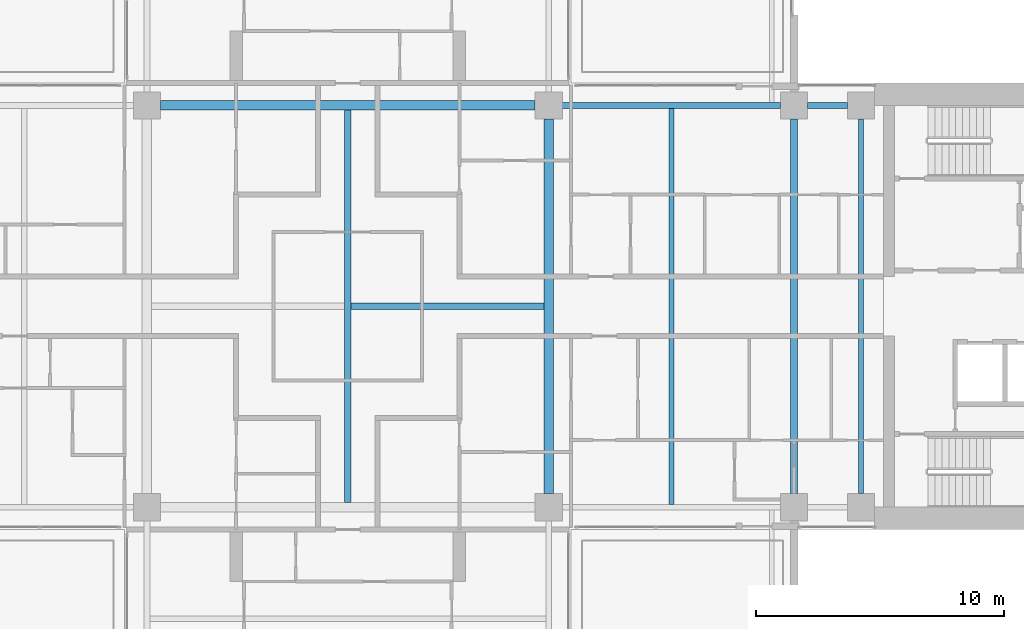
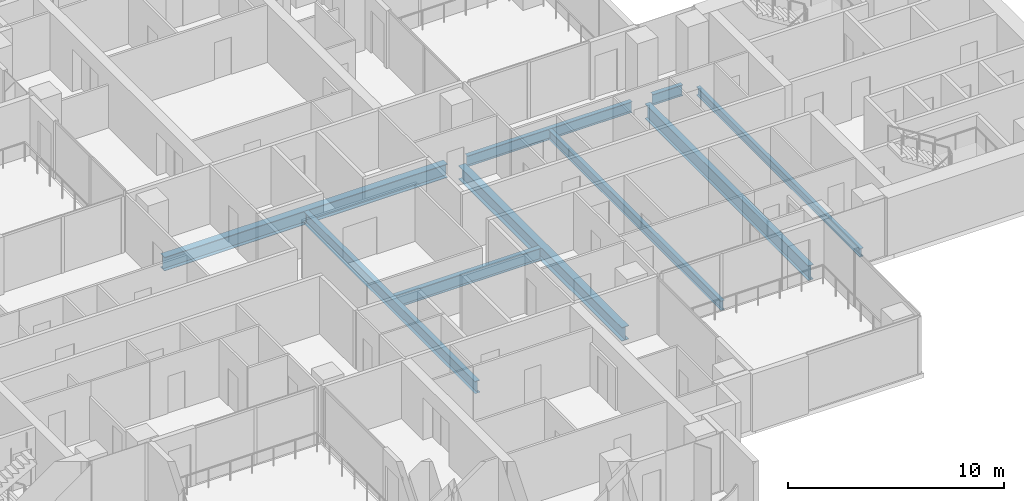
# One storey, part 4 of 19: 9 beams.
"""IFC4 building model written with IfcOpenShell, lengths in metres."""

from ifc_helpers import new_model, si_unit, direction, frame, origin, origin_2d, place, context, subcontext, project, spatial, i_section, extrude, material, material_profile, profile_set, type_object, element, save


model = new_model("IFC4")

# Units and contexts
model_context = context("Model", 3, precision=1e-05, world=origin(), true_north=direction((0.0, 1.0)))
body_context = subcontext(model_context, "Body", "Model", "MODEL_VIEW")
ifc_project = project(units=[si_unit("LENGTHUNIT", "METRE"), si_unit("AREAUNIT", "SQUARE_METRE"), si_unit("VOLUMEUNIT", "CUBIC_METRE"), si_unit("PLANEANGLEUNIT", "RADIAN"), si_unit("MASSUNIT", "GRAM", prefix="KILO")], contexts=[model_context])

# Site, building, storey
site_placement = place(None, origin())
site = spatial("IfcSite", under=ifc_project, at=site_placement, CompositionType="ELEMENT")
building_placement = place(site_placement, origin())
building = spatial("IfcBuilding", under=site, at=building_placement, Name="Perihelion Cross Residences", CompositionType="ELEMENT")
storey_placement = place(building_placement, frame((0.0, 0.0, 112.89990234375)))
storey = spatial("IfcBuildingStorey", under=building, at=storey_placement, Name="L26", CompositionType="ELEMENT", Elevation=112.89990234375)

# Beams
ifc_material_1 = material(Name="Steel S355", Category="steel")
ifc_material_profile_1 = material_profile(ifc_material_1, i_section(OverallWidth=0.194091796875, OverallDepth=0.469970703125, WebThickness=0.0126953125, FlangeThickness=0.0205078125, at=origin_2d()), Name="W460x106")
ifc_profile_set_1 = profile_set([ifc_material_profile_1], Name="Steel S355")
beam_type_1 = type_object("IfcBeamType", Name="Core edge beam W460x106", PredefinedType="BEAM", material=ifc_profile_set_1)
beam_1_placement = place(storey_placement, frame((20.699951171875, -7.550048828125, -0.48486328125), z_axis=(0.0, 1.0, 0.0), x_axis=(-1.0, 0.0, 0.0)))
element("IfcBeam", 1, at=beam_1_placement, inside=storey, type_object=beam_type_1, Name="Core edge beam TB5 L26 no. 2", PredefinedType="BEAM", context=body_context, shape_type="SweptSolid", body=[
    extrude(i_section(OverallWidth=0.194091796875, OverallDepth=0.469970703125, WebThickness=0.0126953125, FlangeThickness=0.0205078125, at=origin_2d()), origin(), (0.0, 0.0, 1.0), 15.10009765625),
])
ifc_material_2 = material(Name="Steel S355", Category="steel")
ifc_material_profile_2 = material_profile(ifc_material_2, i_section(OverallWidth=0.22900390625, OverallDepth=0.612060546875, WebThickness=0.011962890625, FlangeThickness=0.01953125, at=origin_2d()), Name="W610x125")
ifc_profile_set_2 = profile_set([ifc_material_profile_2], Name="Steel S355")
beam_type_2 = type_object("IfcBeamType", Name="Edge beam W610x125", PredefinedType="SPANDREL", material=ifc_profile_set_2)
beam_2_placement = place(storey_placement, frame((20.14990234375, 8.10009765625, -0.555908203125), z_axis=(-1.0, 0.0, 0.0), x_axis=(0.0, -1.0, 0.0)))
element("IfcBeam", 2, at=beam_2_placement, inside=storey, type_object=beam_type_2, Name="Edge beam SB3 L26 no. 13", PredefinedType="SPANDREL", context=body_context, shape_type="SweptSolid", body=[
    extrude(i_section(OverallWidth=0.22900390625, OverallDepth=0.612060546875, WebThickness=0.011962890625, FlangeThickness=0.01953125, at=origin_2d()), origin(), (0.0, 0.0, 1.0), 1.599853515625),
])
beam_3_placement = place(storey_placement, frame((17.449951171875, 8.10009765625, -0.555908203125), z_axis=(-1.0, 0.0, 0.0), x_axis=(0.0, -1.0, 0.0)))
element("IfcBeam", 3, at=beam_3_placement, inside=storey, type_object=beam_type_2, Name="Edge beam SB3 L26 no. 12", PredefinedType="SPANDREL", context=body_context, shape_type="SweptSolid", body=[
    extrude(i_section(OverallWidth=0.22900390625, OverallDepth=0.612060546875, WebThickness=0.011962890625, FlangeThickness=0.01953125, at=origin_2d()), origin(), (0.0, 0.0, 1.0), 8.800048828125),
])
ifc_material_3 = material(Name="Steel S355", Category="steel")
ifc_material_profile_3 = material_profile(ifc_material_3, i_section(OverallWidth=0.2919921875, OverallDepth=0.8359375, WebThickness=0.013916015625, FlangeThickness=0.018798828125, at=origin_2d()), Name="W840x176")
ifc_profile_set_3 = profile_set([ifc_material_profile_3], Name="Steel S355")
beam_type_3 = type_object("IfcBeamType", Name="Floor girder W840x176", PredefinedType="BEAM", material=ifc_profile_set_3)
beam_4_placement = place(storey_placement, frame((18.0, -7.550048828125, -0.66796875), z_axis=(0.0, 1.0, 0.0), x_axis=(-1.0, 0.0, 0.0)))
element("IfcBeam", 4, at=beam_4_placement, inside=storey, type_object=beam_type_3, Name="Girder G3 L26 no. 2", PredefinedType="BEAM", context=body_context, shape_type="SweptSolid", body=[
    extrude(i_section(OverallWidth=0.2919921875, OverallDepth=0.8359375, WebThickness=0.013916015625, FlangeThickness=0.018798828125, at=origin_2d()), origin(), (0.0, 0.0, 1.0), 15.10009765625),
])
ifc_material_4 = material(Name="Steel S355", Category="steel")
ifc_material_profile_4 = material_profile(ifc_material_4, i_section(OverallWidth=0.208984375, OverallDepth=0.532958984375, WebThickness=0.01025390625, FlangeThickness=0.015625, at=origin_2d()), Name="W530x92")
ifc_profile_set_4 = profile_set([ifc_material_profile_4], Name="Steel S355")
beam_type_4 = type_object("IfcBeamType", Name="Floor joist W530x92", PredefinedType="JOIST", material=ifc_profile_set_4)
beam_5_placement = place(storey_placement, frame((13.050048828125, -7.985595703125, -0.516357421875), z_axis=(0.0, 1.0, 0.0), x_axis=(-1.0, 0.0, 0.0)))
element("IfcBeam", 5, at=beam_5_placement, inside=storey, type_object=beam_type_4, Name="Joist J4 L26 no. 2", PredefinedType="JOIST", context=body_context, shape_type="SweptSolid", body=[
    extrude(i_section(OverallWidth=0.208984375, OverallDepth=0.532958984375, WebThickness=0.01025390625, FlangeThickness=0.015625, at=origin_2d()), origin(), (0.0, 0.0, 1.0), 15.97119140625),
])
ifc_material_5 = material(Name="Steel S355", Category="steel")
ifc_material_profile_5 = material_profile(ifc_material_5, i_section(OverallWidth=0.257080078125, OverallDepth=0.693115234375, WebThickness=0.014404296875, FlangeThickness=0.023681640625, at=origin_2d()), Name="W690x170")
ifc_profile_set_5 = profile_set([ifc_material_profile_5], Name="Steel S355")
beam_type_5 = type_object("IfcBeamType", Name="Hub cross beam W690x170", PredefinedType="BEAM", material=ifc_profile_set_5)
beam_6_placement = place(storey_placement, frame((0.0, -7.909423828125, -0.596435546875), z_axis=(0.0, 1.0, 0.0), x_axis=(-1.0, 0.0, 0.0)))
element("IfcBeam", 6, at=beam_6_placement, inside=storey, type_object=beam_type_5, Name="Hub cross beam XB3 L26 no. 1", PredefinedType="BEAM", context=body_context, shape_type="SweptSolid", body=[
    extrude(i_section(OverallWidth=0.257080078125, OverallDepth=0.693115234375, WebThickness=0.014404296875, FlangeThickness=0.023681640625, at=origin_2d()), origin(), (0.0, 0.0, 1.0), 15.81884765625),
])
beam_7_placement = place(storey_placement, frame((0.12841796875, 0.0, -0.596435546875), z_axis=(1.0, 0.0, 0.0), x_axis=(0.0, 1.0, 0.0)))
element("IfcBeam", 7, at=beam_7_placement, inside=storey, type_object=beam_type_5, Name="Hub cross beam XB3 L26 2 no. 1", PredefinedType="BEAM", context=body_context, shape_type="SweptSolid", body=[
    extrude(i_section(OverallWidth=0.257080078125, OverallDepth=0.693115234375, WebThickness=0.014404296875, FlangeThickness=0.023681640625, at=origin_2d()), origin(), (0.0, 0.0, 1.0), 7.781005859375),
])
ifc_material_6 = material(Name="Steel S355", Category="steel")
ifc_material_profile_6 = material_profile(ifc_material_6, i_section(OverallWidth=0.381103515625, OverallDepth=0.77197265625, WebThickness=0.0166015625, FlangeThickness=0.027099609375, at=origin_2d()), Name="W760x257")
ifc_profile_set_6 = profile_set([ifc_material_profile_6], Name="Steel S355")
beam_type_6 = type_object("IfcBeamType", Name="Hub ring girder W760x257", PredefinedType="BEAM", material=ifc_profile_set_6)
for number, where, z_axis, x_axis, name in (
    (8, (8.10009765625, -7.550048828125, -0.635986328125), (0.0, 1.0, 0.0), (-1.0, 0.0, 0.0), "Hub ring girder RG3 L26 no. 3"),
    (9, (7.550048828125, 8.10009765625, -0.635986328125), (-1.0, 0.0, 0.0), (0.0, -1.0, 0.0), "Hub ring girder RG3 L26 no. 4"),
):
    element("IfcBeam", number, at=place(storey_placement, frame(where, z_axis=z_axis, x_axis=x_axis)), inside=storey, type_object=beam_type_6, Name=name, PredefinedType="BEAM", context=body_context, shape_type="SweptSolid", body=[
        extrude(i_section(OverallWidth=0.381103515625, OverallDepth=0.77197265625, WebThickness=0.0166015625, FlangeThickness=0.027099609375, at=origin_2d()), origin(), (0.0, 0.0, 1.0), 15.10009765625),
    ])

save(model, "model.ifc")
